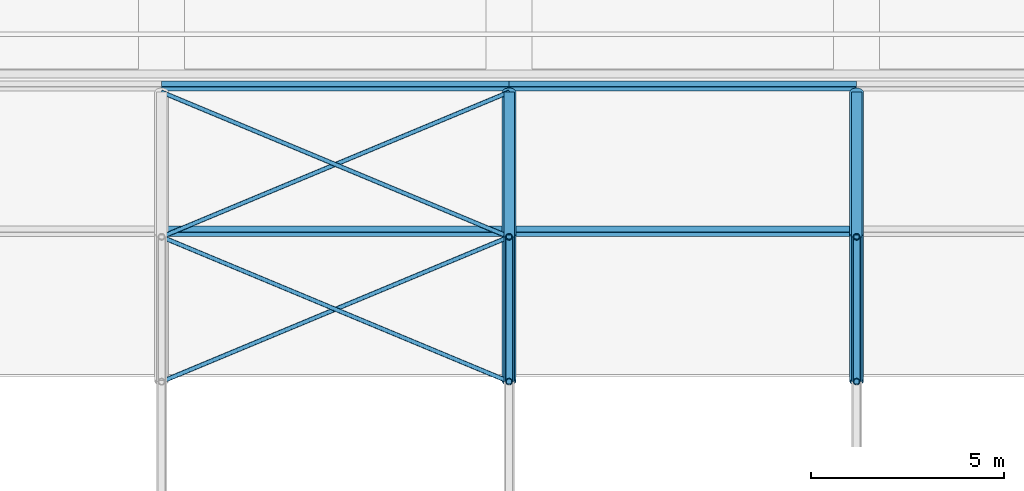
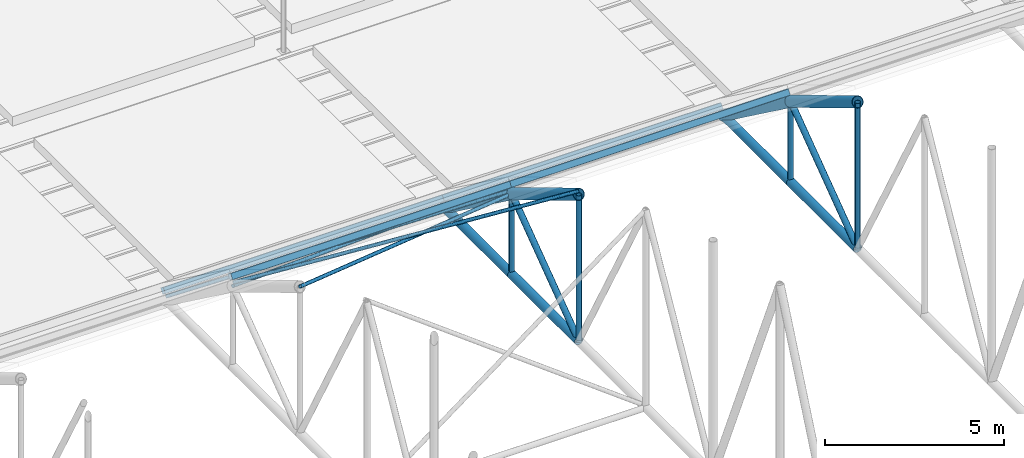
# One storey, part 76 of 153: 22 members.
"""IFC4 building model written with IfcOpenShell, lengths in metres."""

import ifcopenshell
import ifcopenshell.guid

model = None  # the IFC model being written
_history = None  # IfcOwnerHistory: only IFC2X3 demands one
_inside = {}  # id of a spatial element -> (the spatial element, [elements in it])
_under = {}  # id of a project, library or spatial element -> (it, [spatial elements below it])
_declared = {}  # id of a project -> (the project, [libraries it declares])
_typed = {}  # id of a type object -> (the type object, [elements of that type])
_made_of = {}  # id of a material, layer set ... -> (it, [elements and type objects made of it])


def new_model(schema):
    """Start an empty IFC model of exactly this schema.

    Asked for "IFC4X3", IfcOpenShell would pick the latest addendum, in which some entities
    have other attributes; the version numbers below select the first issue.
    IFC2X3 requires an IfcOwnerHistory on every rooted entity: one is made here for all.
    """
    global model, _history
    if schema == "IFC4X3":
        model = ifcopenshell.file(schema_version=(4, 3, 0, 0))
    else:
        model = ifcopenshell.file(schema=schema)
    _inside.clear()
    _under.clear()
    _declared.clear()
    _typed.clear()
    _made_of.clear()
    _history = None
    if model.schema == "IFC2X3":
        org = make("IfcOrganization", Name="unknown")
        user = make(
            "IfcPersonAndOrganization",
            ThePerson=make("IfcPerson", FamilyName="unknown"),
            TheOrganization=org,
        )
        app = make(
            "IfcApplication",
            ApplicationDeveloper=org,
            Version="unknown",
            ApplicationFullName="unknown",
            ApplicationIdentifier="unknown",
        )
        _history = make(
            "IfcOwnerHistory",
            OwningUser=user,
            OwningApplication=app,
            ChangeAction="ADDED",
            CreationDate=0,
        )
    return model


def make(cls, **values):
    """One entity of the class cls with the attributes given. An attribute that is None is left unset."""
    return model.create_entity(
        cls, **{name: value for name, value in values.items() if value is not None}
    )


def rooted(cls, **values):
    """An entity with a GlobalId (a new one), such as an element, a storey or a relation."""
    return make(cls, GlobalId=ifcopenshell.guid.new(), OwnerHistory=_history, **values)


def si_unit(unit_type, name, prefix=None):
    """IfcSIUnit, for example si_unit("LENGTHUNIT", "METRE", prefix="MILLI")."""
    return make("IfcSIUnit", UnitType=unit_type, Prefix=prefix, Name=name)


def assignment(units):
    """IfcUnitAssignment: the units of a project."""
    return None if units is None else make("IfcUnitAssignment", Units=units)


def point(xyz):
    """IfcCartesianPoint."""
    return None if xyz is None else make("IfcCartesianPoint", Coordinates=xyz)


def direction(xyz):
    """IfcDirection."""
    return None if xyz is None else make("IfcDirection", DirectionRatios=xyz)


def frame(location, z_axis=None, x_axis=None):
    """IfcAxis2Placement3D, a coordinate frame: its origin and axes. An axis left out is left unset."""
    return make(
        "IfcAxis2Placement3D",
        Location=point(location),
        Axis=direction(z_axis),
        RefDirection=direction(x_axis),
    )


def frame_2d(location, x_axis=None):
    """IfcAxis2Placement2D, a coordinate frame in the plane: its origin and x axis."""
    return make(
        "IfcAxis2Placement2D", Location=point(location), RefDirection=direction(x_axis)
    )


def origin():
    """The frame at (0, 0, 0) with its axes left unset."""
    return frame((0.0, 0.0, 0.0))


def origin_2d():
    """The frame at (0, 0) in the plane with its x axis left unset."""
    return frame_2d((0.0, 0.0))


def place(relative_to, where):
    """IfcLocalPlacement: puts the frame where relative to a parent placement (None: the world)."""
    return make(
        "IfcLocalPlacement", PlacementRelTo=relative_to, RelativePlacement=where
    )


def context(
    kind, dimensions, precision=None, world=None, true_north=None, identifier=None
):
    """IfcGeometricRepresentationContext, for example the 3D "Model" context."""
    return make(
        "IfcGeometricRepresentationContext",
        ContextIdentifier=identifier,
        ContextType=kind,
        CoordinateSpaceDimension=dimensions,
        Precision=precision,
        WorldCoordinateSystem=world,
        TrueNorth=true_north,
    )


def subcontext(parent, identifier, kind, view, scale=None):
    """IfcGeometricRepresentationSubContext, for example "Body" below "Model"."""
    return make(
        "IfcGeometricRepresentationSubContext",
        ContextIdentifier=identifier,
        ContextType=kind,
        ParentContext=parent,
        TargetScale=scale,
        TargetView=view,
    )


def project(units=None, contexts=None):
    """IfcProject with its units and contexts."""
    return rooted(
        "IfcProject",
        Name="project",
        RepresentationContexts=contexts,
        UnitsInContext=assignment(units),
    )


def spatial(cls, under=None, at=None, **own):
    """A site, building, storey or space (cls), placed at a placement, below another one or the project."""
    s = rooted(cls, ObjectPlacement=at, **own)
    if under is not None:
        _under.setdefault(under.id(), (under, []))[1].append(s)
    return s


def profile(cls, at=None, kind="AREA", **sizes):
    """A parametric profile (cls). Its sizes go by their IFC names, for example OverallWidth=200.0."""
    return make(cls, ProfileType=kind, Position=at, **sizes)


def hollow_rectangle(**sizes):
    """IfcRectangleHollowProfileDef."""
    return profile("IfcRectangleHollowProfileDef", **sizes)


def hollow_circle(**sizes):
    """IfcCircleHollowProfileDef."""
    return profile("IfcCircleHollowProfileDef", **sizes)


def extrude(swept, where, along, depth):
    """IfcExtrudedAreaSolid: the profile swept, set in the frame where, extruded along a direction by depth."""
    return make(
        "IfcExtrudedAreaSolid",
        SweptArea=swept,
        Position=where,
        ExtrudedDirection=direction(along),
        Depth=depth,
    )


def shape(context_of_items, identifier, shape_type, items):
    """IfcShapeRepresentation: the items that make up one representation, for example the "Body"."""
    return make(
        "IfcShapeRepresentation",
        ContextOfItems=context_of_items,
        RepresentationIdentifier=identifier,
        RepresentationType=shape_type,
        Items=items,
    )


def material(Name=None, Category=None):
    """IfcMaterial."""
    return make("IfcMaterial", Name=Name, Category=Category)


def material_profile(
    of_material, cross_section, Name=None, Category=None, Priority=None
):
    """IfcMaterialProfile: a cross section and its material."""
    return make(
        "IfcMaterialProfile",
        Name=Name,
        Material=of_material,
        Profile=cross_section,
        Priority=Priority,
        Category=Category,
    )


def profile_set(profiles, Name=None, composite=None):
    """IfcMaterialProfileSet."""
    return make(
        "IfcMaterialProfileSet",
        Name=Name,
        MaterialProfiles=profiles,
        CompositeProfile=composite,
    )


def made_of(thing, what):
    """Note that an element or type object is made of a material, layer set ...; save() writes the relation."""
    if what is not None:
        _made_of.setdefault(what.id(), (what, []))[1].append(thing)
    return thing


def type_object(cls, material=None, **own):
    """A type object (cls), such as IfcWallType, which elements share."""
    return made_of(rooted(cls, **own), material)


def element(
    cls,
    number,
    at=None,
    inside=None,
    cuts=None,
    type_object=None,
    material=None,
    context=None,
    identifier="Body",
    shape_type=None,
    held_by="IfcProductDefinitionShape",
    body=None,
    shapes=None,
    **own,
):
    """One element of the class cls, such as IfcWall. Its Tag is "e" and its number.

    at: its placement. inside: the storey or other place that contains it. cuts: it is an
    opening in that element (IfcRelVoidsElement). A single representation is given by context,
    identifier, shape_type and body (its items); several are given by shapes. held_by: the class
    of the entity that holds the representations. save() writes the other relations.
    """
    e = rooted(cls, Tag="e%d" % number, ObjectPlacement=at, **own)
    if body is not None:
        shapes = [shape(context, identifier, shape_type, body)]
    if shapes is not None:
        e.Representation = make(held_by, Representations=shapes)
    if inside is not None:
        _inside.setdefault(inside.id(), (inside, []))[1].append(e)
    if cuts is not None:
        rooted(
            "IfcRelVoidsElement", RelatingBuildingElement=cuts, RelatedOpeningElement=e
        )
    if type_object is not None:
        _typed.setdefault(type_object.id(), (type_object, []))[1].append(e)
    return made_of(e, material)


def aggregate(whole, parts):
    """IfcRelAggregates: a whole, such as a stair, and the parts it consists of."""
    return rooted("IfcRelAggregates", RelatingObject=whole, RelatedObjects=parts)


def save(model, path):
    """Write the relations noted so far, then the file.

    IfcRelAggregates (storeys below a building ...), IfcRelContainedInSpatialStructure (elements
    in a storey), IfcRelDefinesByType, IfcRelAssociatesMaterial and IfcRelDeclares: one each for
    every whole, place, type object, material and project.
    """
    for whole, parts in _under.values():
        aggregate(whole, parts)
    for where, things in _inside.values():
        rooted(
            "IfcRelContainedInSpatialStructure",
            RelatedElements=things,
            RelatingStructure=where,
        )
    for kind, things in _typed.values():
        rooted("IfcRelDefinesByType", RelatedObjects=things, RelatingType=kind)
    for what, things in _made_of.values():
        rooted("IfcRelAssociatesMaterial", RelatedObjects=things, RelatingMaterial=what)
    for by, libraries in _declared.values():
        rooted("IfcRelDeclares", RelatingContext=by, RelatedDefinitions=libraries)
    model.write(path)


model = new_model("IFC4")

# Units and contexts
model_context = context("Model", 3, precision=1e-05, world=origin(), true_north=direction((0.0, 1.0)))
body_context = subcontext(model_context, "Body", "Model", "MODEL_VIEW")
ifc_project = project(units=[si_unit("LENGTHUNIT", "METRE"), si_unit("AREAUNIT", "SQUARE_METRE"), si_unit("VOLUMEUNIT", "CUBIC_METRE"), si_unit("PLANEANGLEUNIT", "RADIAN"), si_unit("MASSUNIT", "GRAM", prefix="KILO")], contexts=[model_context])

# Site, building, storey
site_placement = place(None, origin())
site = spatial("IfcSite", under=ifc_project, at=site_placement, CompositionType="ELEMENT")
building_placement = place(site_placement, origin())
building = spatial("IfcBuilding", under=site, at=building_placement, Name="Baradari Gate Terminus", CompositionType="ELEMENT")
storey_placement = place(building_placement, frame((0.0, 0.0, 11.699951171875)))
storey = spatial("IfcBuildingStorey", under=building, at=storey_placement, Name="L02", CompositionType="ELEMENT", Elevation=11.699951171875)

# Members
ifc_material_1 = material(Name="Steel S355", Category="steel")
ifc_material_profile_1 = material_profile(ifc_material_1, hollow_circle(Radius=0.136474609375, WallThickness=0.012451171875, at=origin_2d()), Name="CHS 273x12.5")
ifc_profile_set_1 = profile_set([ifc_material_profile_1], Name="Steel S355")
member_type_1 = type_object("IfcMemberType", Name="Shed bottom chord CHS 273x12.5", PredefinedType="CHORD", material=ifc_profile_set_1)
for number, where, z_axis, x_axis, name in (
    (1, (189.0, 73.5, 0.136474609375), (0.0, 1.0, 0.0), (-1.0, 0.0, 0.0), "TR/L02/S189-BC10"),
    (2, (189.0, 77.25, 0.136474609375), (0.0, 1.0, 0.0), (-1.0, 0.0, 0.0), "TR/L02/S189-BC11"),
    (3, (198.0, 73.5, 0.136474609375), (0.0, 1.0, 0.0), (-1.0, 0.0, 0.0), "TR/L02/S198-BC10"),
    (4, (198.0, 77.25, 0.136474609375), (0.0, 1.0, 0.0), (-1.0, 0.0, 0.0), "TR/L02/S198-BC11"),
):
    element("IfcMember", number, at=place(storey_placement, frame(where, z_axis=z_axis, x_axis=x_axis)), inside=storey, type_object=member_type_1, Name=name, PredefinedType="CHORD", context=body_context, shape_type="SweptSolid", body=[
        extrude(hollow_circle(Radius=0.136474609375, WallThickness=0.012451171875, at=origin_2d()), origin(), (0.0, 0.0, 1.0), 3.75),
    ])
ifc_material_2 = material(Name="Steel S355", Category="steel")
ifc_material_profile_2 = material_profile(ifc_material_2, hollow_rectangle(XDim=0.199951171875, YDim=0.199951171875, WallThickness=0.008056640625, InnerFilletRadius=0.008056640625, OuterFilletRadius=0.01611328125, at=origin_2d()), Name="SHS 200x200x8")
ifc_profile_set_2 = profile_set([ifc_material_profile_2], Name="Steel S355")
member_type_2 = type_object("IfcMemberType", Name="Shed purlin SHS 200x200x8", PredefinedType="PURLIN", material=ifc_profile_set_2)
for number, where, z_axis, x_axis, name in (
    (5, (180.0, 77.397216796875, 3.10791015625), (1.0, 0.0, 0.0), (0.0, 0.832836263724, -0.55351942859), "TR/L02/B189-PU11"),
    (6, (180.0, 81.1572265625, 0.350830078125), (1.0, 0.0, 0.0), (0.0, 0.80640499586, -0.591363663621), "TR/L02/B189-PU12"),
    (7, (189.0, 77.397216796875, 3.10791015625), (1.0, 0.0, 0.0), (0.0, 0.832836263724, -0.55351942859), "TR/L02/B198-PU11"),
    (8, (189.0, 81.1572265625, 0.350830078125), (1.0, 0.0, 0.0), (0.0, 0.80640499586, -0.591363663621), "TR/L02/B198-PU12"),
):
    element("IfcMember", number, at=place(storey_placement, frame(where, z_axis=z_axis, x_axis=x_axis)), inside=storey, type_object=member_type_2, Name=name, PredefinedType="PURLIN", context=body_context, shape_type="SweptSolid", body=[
        extrude(hollow_rectangle(XDim=0.199951171875, YDim=0.199951171875, WallThickness=0.008056640625, InnerFilletRadius=0.008056640625, OuterFilletRadius=0.01611328125, at=origin_2d()), origin(), (0.0, 0.0, 1.0), 9.0),
    ])
ifc_material_3 = material(Name="Steel S355", Category="steel")
ifc_material_profile_3 = material_profile(ifc_material_3, hollow_circle(Radius=0.05712890625, WallThickness=0.00634765625, at=origin_2d()), Name="CHS 114.3x6.3")
ifc_profile_set_3 = profile_set([ifc_material_profile_3], Name="Steel S355")
member_type_3 = type_object("IfcMemberType", Name="Shed roof brace CHS 114.3x6.3", PredefinedType="BRACE", material=ifc_profile_set_3)
for number, where, z_axis, x_axis, name in (
    (9, (180.0, 73.5, 5.136474609375), (0.899438026795, 0.374765844498, -0.224859506699), (-0.384615384615, 0.923076923077, 0.0), "TR/L02/B189-RB10A"),
    (10, (189.0, 73.5, 5.250732421875), (-0.899438026795, 0.374765844498, -0.224859506699), (-0.384615384615, -0.923076923077, 0.0), "TR/L02/B189-RB10B"),
):
    element("IfcMember", number, at=place(storey_placement, frame(where, z_axis=z_axis, x_axis=x_axis)), inside=storey, type_object=member_type_3, Name=name, PredefinedType="BRACE", context=body_context, shape_type="SweptSolid", body=[
        extrude(hollow_circle(Radius=0.05712890625, WallThickness=0.00634765625, at=origin_2d()), origin(), (0.0, 0.0, 1.0), 10.00634765625),
    ])
for number, where, z_axis, x_axis, name in (
    (11, (180.0, 77.25, 2.886474609375), (0.888415085526, 0.370172952302, -0.271460165022), (-0.384615384615, 0.923076923077, 0.0), "TR/L02/B189-RB11A"),
    (12, (189.0, 77.25, 3.000732421875), (-0.888415085526, 0.370172952302, -0.271460165022), (-0.384615384615, -0.923076923077, 0.0), "TR/L02/B189-RB11B"),
):
    element("IfcMember", number, at=place(storey_placement, frame(where, z_axis=z_axis, x_axis=x_axis)), inside=storey, type_object=member_type_3, Name=name, PredefinedType="BRACE", context=body_context, shape_type="SweptSolid", body=[
        extrude(hollow_circle(Radius=0.05712890625, WallThickness=0.00634765625, at=origin_2d()), origin(), (0.0, 0.0, 1.0), 10.13037109375),
    ])
ifc_material_4 = material(Name="Steel S355", Category="steel")
ifc_material_profile_4 = material_profile(ifc_material_4, hollow_circle(Radius=0.177734375, WallThickness=0.01611328125, at=origin_2d()), Name="CHS 355.6x16")
ifc_profile_set_4 = profile_set([ifc_material_profile_4], Name="Steel S355")
member_type_4 = type_object("IfcMemberType", Name="Shed top chord CHS 355.6x16", PredefinedType="CHORD", material=ifc_profile_set_4)
member_1_placement = place(storey_placement, frame((189.0, 73.5, 5.136474609375), z_axis=(0.0, 0.857492925713, -0.514495755428), x_axis=(-1.0, 0.0, 0.0)))
element("IfcMember", 13, at=member_1_placement, inside=storey, type_object=member_type_4, Name="TR/L02/S189-TC10", PredefinedType="CHORD", context=body_context, shape_type="SweptSolid", body=[
    extrude(hollow_circle(Radius=0.177734375, WallThickness=0.01611328125, at=origin_2d()), origin(), (0.0, 0.0, 1.0), 4.373291015625),
])
member_2_placement = place(storey_placement, frame((189.0, 77.25, 2.886474609375), z_axis=(0.0, 0.806404995856, -0.591363663628), x_axis=(-1.0, 0.0, 0.0)))
element("IfcMember", 14, at=member_2_placement, inside=storey, type_object=member_type_4, Name="TR/L02/S189-TC11", PredefinedType="CHORD", context=body_context, shape_type="SweptSolid", body=[
    extrude(hollow_circle(Radius=0.177734375, WallThickness=0.01611328125, at=origin_2d()), origin(), (0.0, 0.0, 1.0), 4.650390625),
])
member_3_placement = place(storey_placement, frame((198.0, 73.5, 5.136474609375), z_axis=(0.0, 0.857492925713, -0.514495755428), x_axis=(-1.0, 0.0, 0.0)))
element("IfcMember", 15, at=member_3_placement, inside=storey, type_object=member_type_4, Name="TR/L02/S198-TC10", PredefinedType="CHORD", context=body_context, shape_type="SweptSolid", body=[
    extrude(hollow_circle(Radius=0.177734375, WallThickness=0.01611328125, at=origin_2d()), origin(), (0.0, 0.0, 1.0), 4.373291015625),
])
member_4_placement = place(storey_placement, frame((198.0, 77.25, 2.886474609375), z_axis=(0.0, 0.806404995856, -0.591363663628), x_axis=(-1.0, 0.0, 0.0)))
element("IfcMember", 16, at=member_4_placement, inside=storey, type_object=member_type_4, Name="TR/L02/S198-TC11", PredefinedType="CHORD", context=body_context, shape_type="SweptSolid", body=[
    extrude(hollow_circle(Radius=0.177734375, WallThickness=0.01611328125, at=origin_2d()), origin(), (0.0, 0.0, 1.0), 4.650390625),
])
ifc_material_5 = material(Name="Steel S355", Category="steel")
ifc_material_profile_5 = material_profile(ifc_material_5, hollow_circle(Radius=0.096923828125, WallThickness=0.008056640625, at=origin_2d()), Name="CHS 193.7x8")
ifc_profile_set_5 = profile_set([ifc_material_profile_5], Name="Steel S355")
member_type_5 = type_object("IfcMemberType", Name="Shed truss diagonal CHS 193.7x8", PredefinedType="BRACE", material=ifc_profile_set_5)
for number, where, z_axis, x_axis, name in (
    (17, (189.0, 77.25, 2.886474609375), (0.0, -0.806404995856, -0.591363663628), (1.0, 0.0, 0.0), "TR/L02/S189-SD10"),
    (18, (198.0, 77.25, 2.886474609375), (0.0, -0.806404995856, -0.591363663628), (1.0, 0.0, 0.0), "TR/L02/S198-SD10"),
):
    element("IfcMember", number, at=place(storey_placement, frame(where, z_axis=z_axis, x_axis=x_axis)), inside=storey, type_object=member_type_5, Name=name, PredefinedType="BRACE", context=body_context, shape_type="SweptSolid", body=[
        extrude(hollow_circle(Radius=0.096923828125, WallThickness=0.008056640625, at=origin_2d()), origin(), (0.0, 0.0, 1.0), 4.650390625),
    ])
ifc_material_6 = material(Name="Steel S355", Category="steel")
ifc_material_profile_6 = material_profile(ifc_material_6, hollow_circle(Radius=0.084228515625, WallThickness=0.008056640625, at=origin_2d()), Name="CHS 168.3x8")
ifc_profile_set_6 = profile_set([ifc_material_profile_6], Name="Steel S355")
member_type_6 = type_object("IfcMemberType", Name="Shed truss post CHS 168.3x8", PredefinedType="POST", material=ifc_profile_set_6)
member_5_placement = place(storey_placement, frame((189.0, 73.5, 0.136474609375), z_axis=(0.0, 0.0, 1.0), x_axis=(1.0, 0.0, 0.0)))
element("IfcMember", 19, at=member_5_placement, inside=storey, type_object=member_type_6, Name="TR/L02/S189-SP10", PredefinedType="POST", context=body_context, shape_type="SweptSolid", body=[
    extrude(hollow_circle(Radius=0.084228515625, WallThickness=0.008056640625, at=origin_2d()), origin(), (0.0, 0.0, 1.0), 5.0),
])
member_6_placement = place(storey_placement, frame((189.0, 77.25, 0.136474609375), z_axis=(0.0, 0.0, 1.0), x_axis=(1.0, 0.0, 0.0)))
element("IfcMember", 20, at=member_6_placement, inside=storey, type_object=member_type_6, Name="TR/L02/S189-SP11", PredefinedType="POST", context=body_context, shape_type="SweptSolid", body=[
    extrude(hollow_circle(Radius=0.084228515625, WallThickness=0.008056640625, at=origin_2d()), origin(), (0.0, 0.0, 1.0), 2.75),
])
member_7_placement = place(storey_placement, frame((198.0, 73.5, 0.136474609375), z_axis=(0.0, 0.0, 1.0), x_axis=(1.0, 0.0, 0.0)))
element("IfcMember", 21, at=member_7_placement, inside=storey, type_object=member_type_6, Name="TR/L02/S198-SP10", PredefinedType="POST", context=body_context, shape_type="SweptSolid", body=[
    extrude(hollow_circle(Radius=0.084228515625, WallThickness=0.008056640625, at=origin_2d()), origin(), (0.0, 0.0, 1.0), 5.0),
])
member_8_placement = place(storey_placement, frame((198.0, 77.25, 0.136474609375), z_axis=(0.0, 0.0, 1.0), x_axis=(1.0, 0.0, 0.0)))
element("IfcMember", 22, at=member_8_placement, inside=storey, type_object=member_type_6, Name="TR/L02/S198-SP11", PredefinedType="POST", context=body_context, shape_type="SweptSolid", body=[
    extrude(hollow_circle(Radius=0.084228515625, WallThickness=0.008056640625, at=origin_2d()), origin(), (0.0, 0.0, 1.0), 2.75),
])

save(model, "model.ifc")
